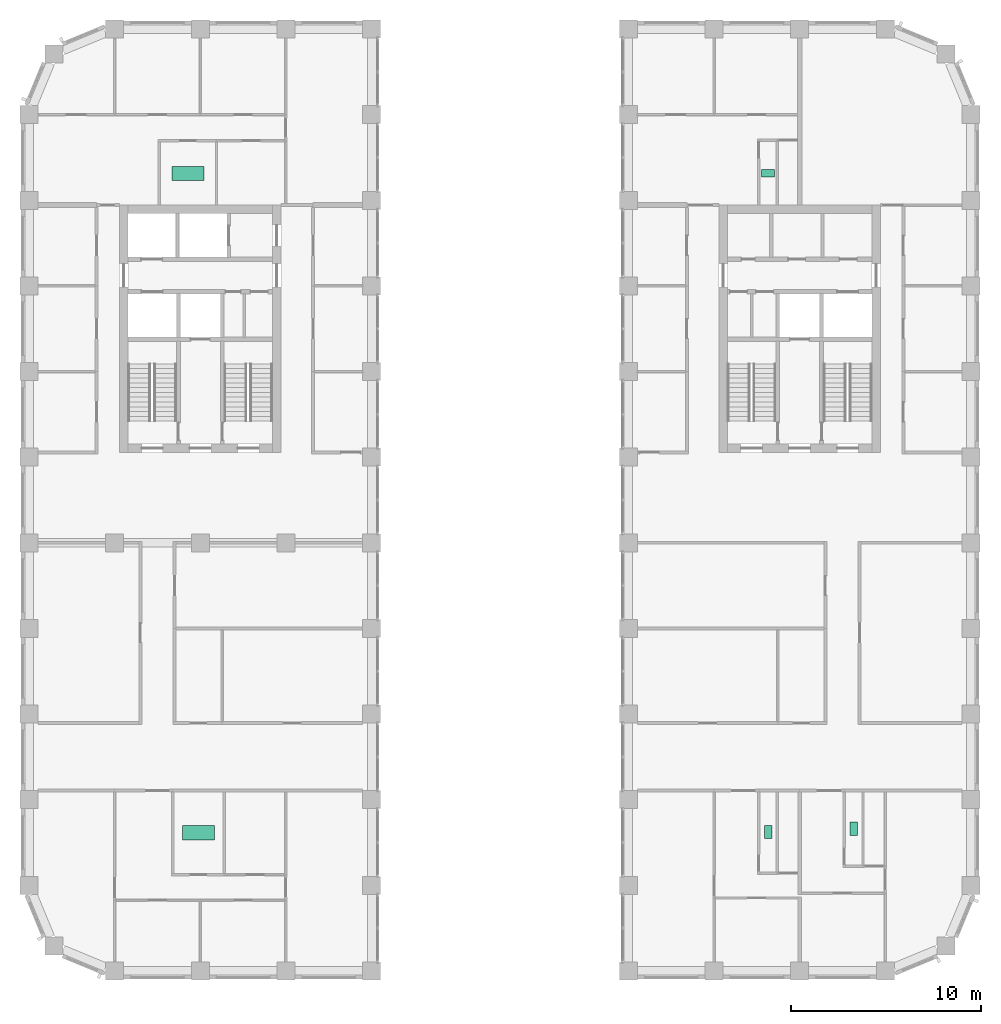
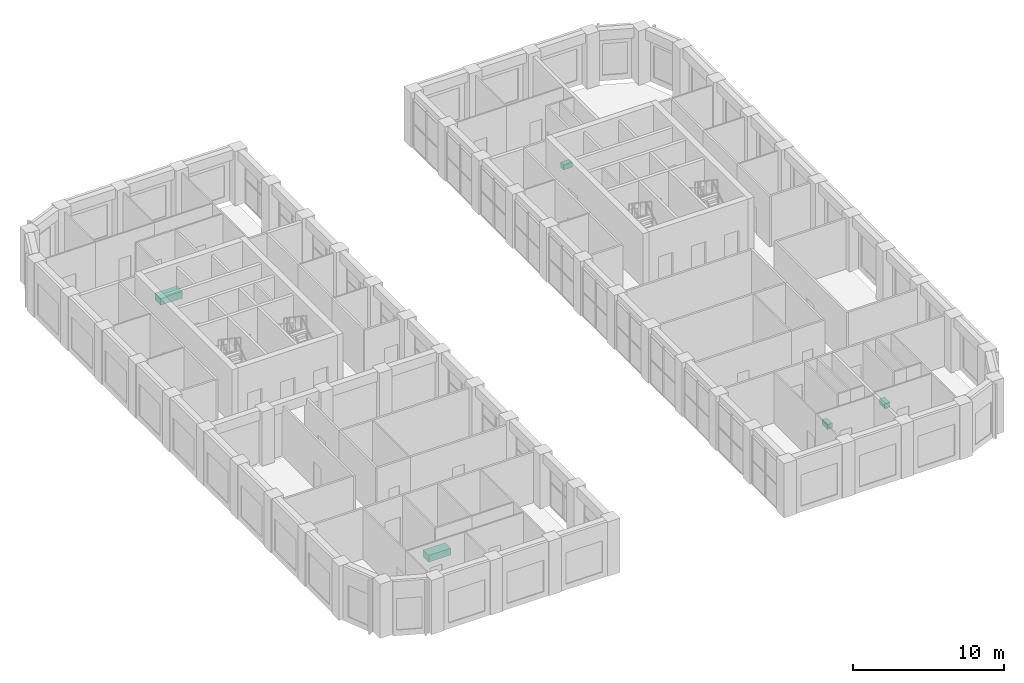
# One storey, part 19 of 19: 5 sanitary terminals.
"""IFC4 building model written with IfcOpenShell, lengths in metres."""

from ifc_helpers import new_model, si_unit, direction, frame, origin, origin_2d, place, context, subcontext, project, spatial, rectangle, extrude, material, type_object, element, save


model = new_model("IFC4")

# Units and contexts
model_context = context("Model", 3, precision=1e-05, world=origin(), true_north=direction((0.0, 1.0)))
body_context = subcontext(model_context, "Body", "Model", "MODEL_VIEW")
ifc_project = project(units=[si_unit("LENGTHUNIT", "METRE"), si_unit("AREAUNIT", "SQUARE_METRE"), si_unit("VOLUMEUNIT", "CUBIC_METRE"), si_unit("PLANEANGLEUNIT", "RADIAN"), si_unit("MASSUNIT", "GRAM", prefix="KILO")], contexts=[model_context])

# Site, building, storey
site_placement = place(None, origin())
site = spatial("IfcSite", under=ifc_project, at=site_placement, CompositionType="ELEMENT")
building_placement = place(site_placement, origin())
building = spatial("IfcBuilding", under=site, at=building_placement, Name="Girih Gate Residences", CompositionType="ELEMENT")
storey_placement = place(building_placement, frame((0.0, 0.0, 163.800048828125)))
storey = spatial("IfcBuildingStorey", under=building, at=storey_placement, Name="L45", CompositionType="ELEMENT", Elevation=163.800048828125)

# Sanitary terminals
ifc_material_1 = material(Name="Acrylic")
sanitary_terminal_type_1 = type_object("IfcSanitaryTerminalType", Name="Bath 1700", PredefinedType="BATH", material=ifc_material_1)
for number, where, z_axis, x_axis, name in (
    (1, (8.905029296875, 7.259033203125, 0.0), (0.0, 0.0, 1.0), (1.0, 0.0, 0.0), "Bath 1700 L45"),
    (2, (8.35009765625, 41.904052734375, 0.0), (0.0, 0.0, 1.0), (1.0, 0.0, 0.0), "Bath 1700 L45"),
):
    element("IfcSanitaryTerminal", number, at=place(storey_placement, frame(where, z_axis=z_axis, x_axis=x_axis)), inside=storey, type_object=sanitary_terminal_type_1, Name=name, PredefinedType="BATH", context=body_context, shape_type="SweptSolid", body=[
        extrude(rectangle(XDim=1.699951171875, YDim=0.75, at=origin_2d()), origin(), (0.0, 0.0, 1.0), 0.550048828125),
    ])
ifc_material_2 = material(Name="Vitreous china")
sanitary_terminal_type_2 = type_object("IfcSanitaryTerminalType", Name="WC pan", PredefinedType="TOILETPAN", material=ifc_material_2)
for number, where, z_axis, x_axis, name in (
    (3, (43.337890625, 7.47900390625, 0.0), (0.0, 0.0, 1.0), (1.0, 0.0, 0.0), "WC pan L45"),
    (4, (38.837890625, 7.299072265625, 0.0), (0.0, 0.0, 1.0), (1.0, 0.0, 0.0), "WC pan L45"),
):
    element("IfcSanitaryTerminal", number, at=place(storey_placement, frame(where, z_axis=z_axis, x_axis=x_axis)), inside=storey, type_object=sanitary_terminal_type_2, Name=name, PredefinedType="TOILETPAN", context=body_context, shape_type="SweptSolid", body=[
        extrude(rectangle(XDim=0.39990234375, YDim=0.699951171875, at=origin_2d()), origin(), (0.0, 0.0, 1.0), 0.39990234375),
    ])
sanitary_terminal_placement = place(storey_placement, frame((38.837890625, 41.924072265625, 0.0), z_axis=(0.0, 0.0, 1.0), x_axis=(1.0, 0.0, 0.0)))
element("IfcSanitaryTerminal", 5, at=sanitary_terminal_placement, inside=storey, type_object=sanitary_terminal_type_2, Name="WC pan L45", PredefinedType="TOILETPAN", context=body_context, shape_type="SweptSolid", body=[
    extrude(rectangle(XDim=0.699951171875, YDim=0.39990234375, at=origin_2d()), origin(), (0.0, 0.0, 1.0), 0.39990234375),
])

save(model, "model.ifc")
